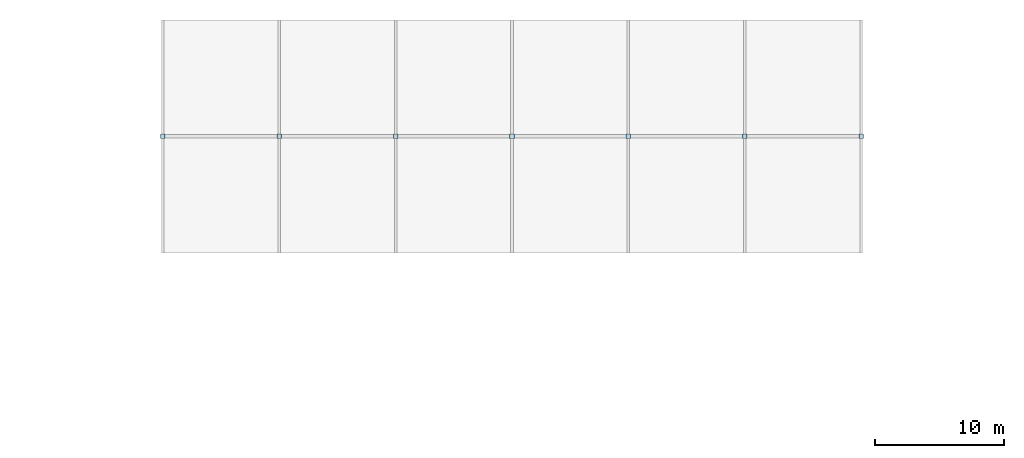
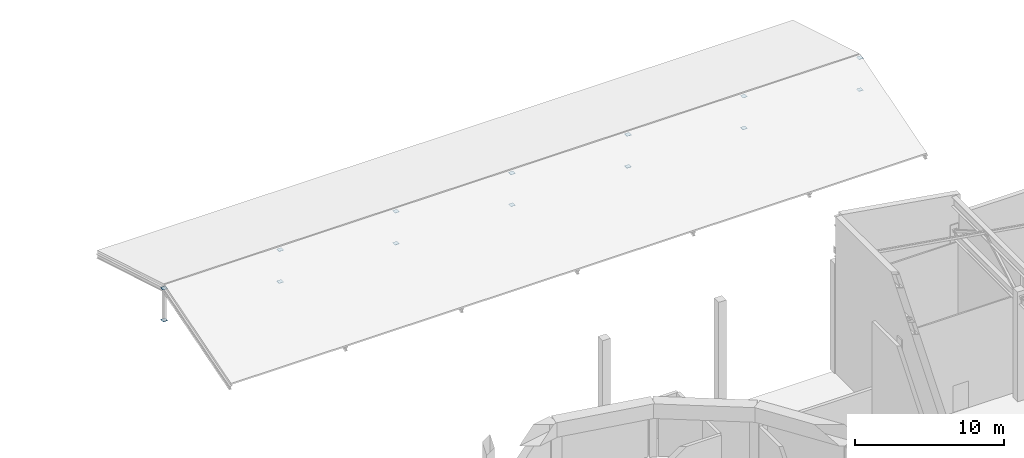
# One storey, part 59 of 68: 14 plates.
"""IFC4 building model written with IfcOpenShell, lengths in metres."""

from ifc_helpers import new_model, si_unit, direction, frame, origin, origin_2d, place, context, subcontext, project, spatial, rectangle, extrude, material, layer, layer_set, type_object, element, save


model = new_model("IFC4")

# Units and contexts
model_context = context("Model", 3, precision=1e-05, world=origin(), true_north=direction((0.0, 1.0)))
body_context = subcontext(model_context, "Body", "Model", "MODEL_VIEW")
ifc_project = project(units=[si_unit("LENGTHUNIT", "METRE"), si_unit("AREAUNIT", "SQUARE_METRE"), si_unit("VOLUMEUNIT", "CUBIC_METRE"), si_unit("PLANEANGLEUNIT", "RADIAN"), si_unit("MASSUNIT", "GRAM", prefix="KILO")], contexts=[model_context])

# Site, building, storey
site_placement = place(None, origin())
site = spatial("IfcSite", under=ifc_project, at=site_placement, CompositionType="ELEMENT")
building_placement = place(site_placement, origin())
building = spatial("IfcBuilding", under=site, at=building_placement, Name="Miravela Opera House", CompositionType="ELEMENT")
storey_placement = place(building_placement, frame((0.0, 0.0, 21.760009765625)))
storey = spatial("IfcBuildingStorey", under=building, at=storey_placement, Name="L05", CompositionType="ELEMENT", Elevation=21.760009765625)

# Plates
ifc_material = material(Name="Structural steel ASTM A572 Gr. 50", Category="steel")
ifc_layer = layer(ifc_material, 0.02001953125)
ifc_layer_set = layer_set([ifc_layer])
plate_type = type_object("IfcPlateType", Name="STR-PL-CAP-350X350X20", PredefinedType="SHEET", material=ifc_layer_set)
for number, where, z_axis, x_axis, name in (
    (1, (63.0, 103.0, -0.263916015625), (0.0, 0.0, 1.0), (1.0, 0.0, 0.0), "HSS Welded End Cap Plate 268"),
    (2, (63.0, 103.0, 2.35400390625), (0.0, 0.0, 1.0), (1.0, 0.0, 0.0), "HSS Welded End Cap Plate 269"),
    (3, (72.0, 103.0, -0.263916015625), (0.0, 0.0, 1.0), (1.0, 0.0, 0.0), "HSS Welded End Cap Plate 270"),
    (4, (72.0, 103.0, 2.35400390625), (0.0, 0.0, 1.0), (1.0, 0.0, 0.0), "HSS Welded End Cap Plate 271"),
    (5, (81.0, 103.0, -0.263916015625), (0.0, 0.0, 1.0), (1.0, 0.0, 0.0), "HSS Welded End Cap Plate 272"),
    (6, (81.0, 103.0, 2.35400390625), (0.0, 0.0, 1.0), (1.0, 0.0, 0.0), "HSS Welded End Cap Plate 273"),
    (7, (90.0, 103.0, -0.263916015625), (0.0, 0.0, 1.0), (1.0, 0.0, 0.0), "HSS Welded End Cap Plate 274"),
    (8, (90.0, 103.0, 2.35400390625), (0.0, 0.0, 1.0), (1.0, 0.0, 0.0), "HSS Welded End Cap Plate 275"),
    (9, (99.0, 103.0, -0.263916015625), (0.0, 0.0, 1.0), (1.0, 0.0, 0.0), "HSS Welded End Cap Plate 276"),
    (10, (99.0, 103.0, 2.35400390625), (0.0, 0.0, 1.0), (1.0, 0.0, 0.0), "HSS Welded End Cap Plate 277"),
    (11, (108.0, 103.0, -0.263916015625), (0.0, 0.0, 1.0), (1.0, 0.0, 0.0), "HSS Welded End Cap Plate 278"),
    (12, (108.0, 103.0, 2.35400390625), (0.0, 0.0, 1.0), (1.0, 0.0, 0.0), "HSS Welded End Cap Plate 279"),
    (13, (117.0, 103.0, -0.263916015625), (0.0, 0.0, 1.0), (1.0, 0.0, 0.0), "HSS Welded End Cap Plate 280"),
    (14, (117.0, 103.0, 2.35400390625), (0.0, 0.0, 1.0), (1.0, 0.0, 0.0), "HSS Welded End Cap Plate 281"),
):
    element("IfcPlate", number, at=place(storey_placement, frame(where, z_axis=z_axis, x_axis=x_axis)), inside=storey, type_object=plate_type, Name=name, PredefinedType="SHEET", context=body_context, shape_type="SweptSolid", body=[
        extrude(rectangle(XDim=0.35009765625, YDim=0.35009765625, at=origin_2d()), origin(), (0.0, 0.0, 1.0), 0.02001953125),
    ])

save(model, "model.ifc")
